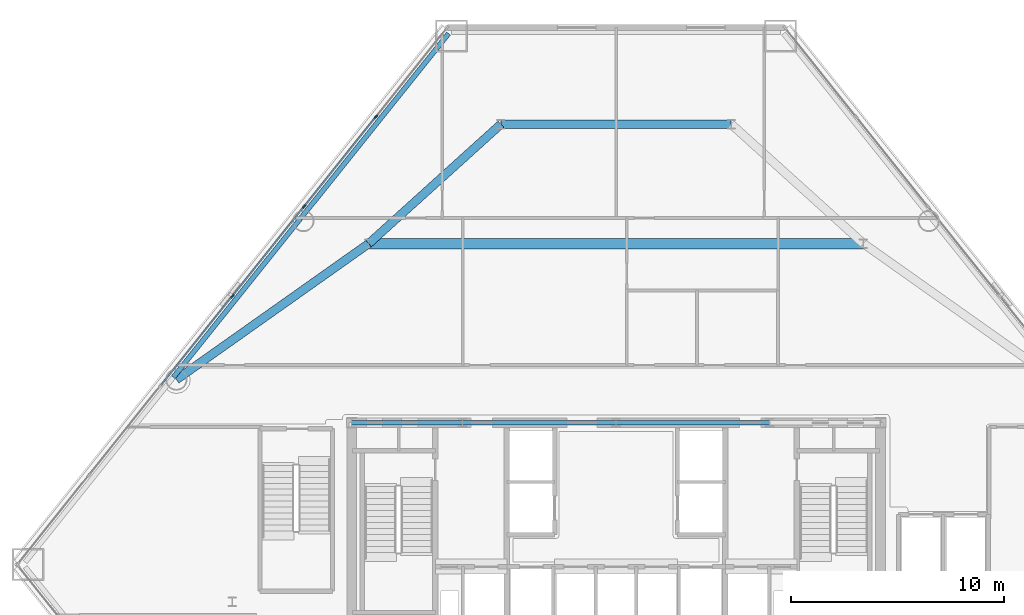
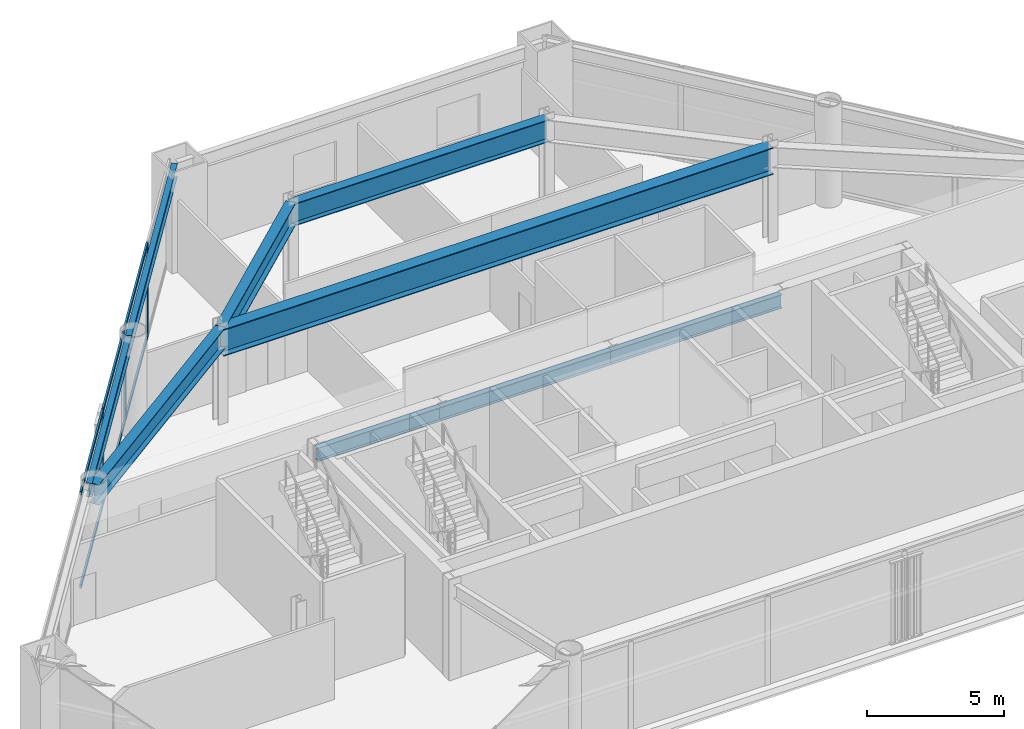
# One storey, part 4 of 13: 9 beams, 9 members, 1 element without a shape of its own.
"""IFC4 building model written with IfcOpenShell, lengths in metres."""

from ifc_helpers import new_model, si_unit, direction, frame, origin, origin_2d, place, context, subcontext, project, spatial, rectangle, i_section, extrude, material, layer, layer_set, material_profile, profile_set, type_object, element, aggregate, save


model = new_model("IFC4")

# Units and contexts
model_context = context("Model", 3, precision=1e-05, world=origin(), true_north=direction((0.0, 1.0)))
body_context = subcontext(model_context, "Body", "Model", "MODEL_VIEW")
ifc_project = project(units=[si_unit("LENGTHUNIT", "METRE"), si_unit("AREAUNIT", "SQUARE_METRE"), si_unit("VOLUMEUNIT", "CUBIC_METRE"), si_unit("PLANEANGLEUNIT", "RADIAN"), si_unit("MASSUNIT", "GRAM", prefix="KILO")], contexts=[model_context])

# Site, building, storey
site_placement = place(None, origin())
site = spatial("IfcSite", under=ifc_project, at=site_placement, CompositionType="ELEMENT")
building_placement = place(site_placement, origin())
building = spatial("IfcBuilding", under=site, at=building_placement, Name="Talgorran Terracotta Tower", CompositionType="ELEMENT")
storey_placement = place(building_placement, frame((0.0, 0.0, 9.89990234375)))
storey = spatial("IfcBuildingStorey", under=building, at=storey_placement, Name="L02", CompositionType="ELEMENT", Elevation=9.89990234375)

# Beams
ifc_material_1 = material(Name="Steel Grade 350 (350L0)", Category="steel")
ifc_material_profile_1 = material_profile(ifc_material_1, i_section(OverallWidth=0.39990234375, OverallDepth=1.0, WebThickness=0.01611328125, FlangeThickness=0.031005859375, at=origin_2d()), Name="1000WB296")
ifc_profile_set_1 = profile_set([ifc_material_profile_1], Name="Steel Grade 350 (350L0)")
beam_type_1 = type_object("IfcBeamType", Name="BM_1000WB296", PredefinedType="BEAM", material=ifc_profile_set_1)
beam_1_placement = place(storey_placement, frame((-11.60009765625, 4.199951171875, 3.72021484375), z_axis=(0.742107331558, 0.670281066754, 0.0), x_axis=(-0.670281066754, 0.742107331558, 0.0)))
element("IfcBeam", 1, at=beam_1_placement, inside=storey, type_object=beam_type_1, Name="L02 Podium Girder PG2", PredefinedType="BEAM", context=body_context, shape_type="SweptSolid", body=[
    extrude(i_section(OverallWidth=0.39990234375, OverallDepth=1.0, WebThickness=0.01611328125, FlangeThickness=0.031005859375, at=origin_2d()), origin(), (0.0, 0.0, 1.0), 8.354736328125),
])
beam_2_placement = place(storey_placement, frame((-5.39990234375, 9.800048828125, 3.72021484375), z_axis=(1.0, 0.0, 0.0), x_axis=(0.0, 1.0, 0.0)))
element("IfcBeam", 2, at=beam_2_placement, inside=storey, type_object=beam_type_1, Name="L02 Podium Girder PG4", PredefinedType="BEAM", context=body_context, shape_type="SweptSolid", body=[
    extrude(i_section(OverallWidth=0.39990234375, OverallDepth=1.0, WebThickness=0.01611328125, FlangeThickness=0.031005859375, at=origin_2d()), origin(), (0.0, 0.0, 1.0), 10.7998046875),
])
ifc_material_profile_2 = material_profile(ifc_material_1, i_section(OverallWidth=0.5, OverallDepth=1.199951171875, WebThickness=0.01611328125, FlangeThickness=0.035888671875, at=origin_2d()), Name="1200WB392")
ifc_profile_set_2 = profile_set([ifc_material_profile_2], Name="Steel Grade 350 (350L0)")
beam_type_2 = type_object("IfcBeamType", Name="BM_1200WB392", PredefinedType="BEAM", material=ifc_profile_set_2)
beam_3_placement = place(storey_placement, frame((-11.60009765625, 4.199951171875, 3.6201171875), z_axis=(1.0, 0.0, 0.0), x_axis=(0.0, 1.0, 0.0)))
element("IfcBeam", 3, at=beam_3_placement, inside=storey, type_object=beam_type_2, Name="L02 Podium Girder PG1", PredefinedType="BEAM", context=body_context, shape_type="SweptSolid", body=[
    extrude(i_section(OverallWidth=0.5, OverallDepth=1.199951171875, WebThickness=0.01611328125, FlangeThickness=0.035888671875, at=origin_2d()), origin(), (0.0, 0.0, 1.0), 23.2001953125),
])
ifc_material_profile_3 = material_profile(ifc_material_1, i_section(OverallWidth=0.39990234375, OverallDepth=0.907958984375, WebThickness=0.01611328125, FlangeThickness=0.02490234375, at=origin_2d()), Name="900WB257")
ifc_profile_set_3 = profile_set([ifc_material_profile_3], Name="Steel Grade 350 (350L0)")
beam_type_3 = type_object("IfcBeamType", Name="BM_900WB257", PredefinedType="BEAM", material=ifc_profile_set_3)
beam_4_placement = place(storey_placement, frame((-20.620361328125, -2.1787109375, 3.76611328125), z_axis=(0.816480686171, 0.577372747113, 0.0), x_axis=(-0.577372747113, 0.816480686171, 0.0)))
element("IfcBeam", 4, at=beam_4_placement, inside=storey, type_object=beam_type_3, Name="L02 Podium Girder PG7", PredefinedType="BEAM", context=body_context, shape_type="SweptSolid", body=[
    extrude(i_section(OverallWidth=0.39990234375, OverallDepth=0.907958984375, WebThickness=0.01611328125, FlangeThickness=0.02490234375, at=origin_2d()), origin(), (0.0, 0.0, 1.0), 11.0478515625),
])
ifc_material_2 = material(Name="Steel S355 (300PLUS)", Category="steel")
ifc_material_profile_4 = material_profile(ifc_material_2, i_section(OverallWidth=0.22900390625, OverallDepth=0.611572265625, WebThickness=0.011962890625, FlangeThickness=0.01953125, at=origin_2d()), Name="610UB125")
ifc_profile_set_4 = profile_set([ifc_material_profile_4], Name="Steel S355 (300PLUS)")
beam_type_4 = type_object("IfcBeamType", Name="BM_SP_610UB125", PredefinedType="SPANDREL", material=ifc_profile_set_4)
beam_5_placement = place(storey_placement, frame((-7.854736328125, 14.048583984375, 3.914306640625), z_axis=(-0.625115426811, -0.780532320383, 0.0), x_axis=(0.780532320383, -0.625115426811, 0.0)))
element("IfcBeam", 5, at=beam_5_placement, inside=storey, type_object=beam_type_4, Name="L02 Perimeter Spandrel Beam MC6-FC5", PredefinedType="SPANDREL", context=body_context, shape_type="SweptSolid", body=[
    extrude(i_section(OverallWidth=0.22900390625, OverallDepth=0.611572265625, WebThickness=0.011962890625, FlangeThickness=0.01953125, at=origin_2d()), origin(), (0.0, 0.0, 1.0), 11.1171875),
])
beam_6_placement = place(storey_placement, frame((-14.80419921875, 5.371337890625, 3.914306640625), z_axis=(-0.625101149619, -0.780543754536, 0.0), x_axis=(0.780543754536, -0.625101149619, 0.0)))
element("IfcBeam", 6, at=beam_6_placement, inside=storey, type_object=beam_type_4, Name="L02 Perimeter Spandrel Beam FC5-FC6", PredefinedType="SPANDREL", context=body_context, shape_type="SweptSolid", body=[
    extrude(i_section(OverallWidth=0.22900390625, OverallDepth=0.611572265625, WebThickness=0.011962890625, FlangeThickness=0.01953125, at=origin_2d()), origin(), (0.0, 0.0, 1.0), 9.52880859375),
])
beam_7_placement = place(storey_placement, frame((-12.39990234375, -4.199951171875, 3.914306640625), z_axis=(1.0, 0.0, 0.0), x_axis=(0.0, 1.0, 0.0)))
element("IfcBeam", 7, at=beam_7_placement, inside=storey, type_object=beam_type_4, Name="L02 Core Frame Beam CFN1", PredefinedType="SPANDREL", context=body_context, shape_type="SweptSolid", body=[
    extrude(i_section(OverallWidth=0.22900390625, OverallDepth=0.611572265625, WebThickness=0.011962890625, FlangeThickness=0.01953125, at=origin_2d()), origin(), (0.0, 0.0, 1.0), 5.199951171875),
])
for number, where, z_axis, x_axis, name in (
    (8, (-7.199951171875, -4.199951171875, 3.914306640625), (1.0, 0.0, 0.0), (0.0, 1.0, 0.0), "L02 Core Frame Beam CFN2"),
    (9, (0.0, -4.199951171875, 3.914306640625), (1.0, 0.0, 0.0), (0.0, 1.0, 0.0), "L02 Core Frame Beam CFN3"),
):
    element("IfcBeam", number, at=place(storey_placement, frame(where, z_axis=z_axis, x_axis=x_axis)), inside=storey, type_object=beam_type_4, Name=name, PredefinedType="SPANDREL", context=body_context, shape_type="SweptSolid", body=[
        extrude(i_section(OverallWidth=0.22900390625, OverallDepth=0.611572265625, WebThickness=0.011962890625, FlangeThickness=0.01953125, at=origin_2d()), origin(), (0.0, 0.0, 1.0), 7.199951171875),
    ])

# Curtain wall, members
ifc_material_3 = material(Name="Terracotta and Low-E Glazing", Category="masonry")
ifc_layer = layer(ifc_material_3, 0.219970703125, Name="CW_SYS1_PODIUM")
ifc_layer_set = layer_set([ifc_layer], Name="Terracotta and Low-E Glazing")
curtain_wall_type = type_object("IfcCurtainWallType", Name="CW_SYS1_PODIUM", PredefinedType="NOTDEFINED", material=ifc_layer_set)
curtain_wall_placement = place(storey_placement, origin())
curtain_wall = element("IfcCurtainWall", 10, at=curtain_wall_placement, inside=storey, type_object=curtain_wall_type, Name="CW-L02-F5", PredefinedType="NOTDEFINED")
ifc_material_4 = material(Name="Architectural Aluminium 6063-T6", Category="aluminium")
ifc_material_profile_5 = material_profile(ifc_material_4, rectangle(XDim=0.074951171875, YDim=0.219970703125, at=origin_2d()), Name="CWM75X220")
ifc_profile_set_5 = profile_set([ifc_material_profile_5], Name="Architectural Aluminium 6063-T6")
member_type_1 = type_object("IfcMemberType", Name="MUL_75X220", PredefinedType="MULLION", material=ifc_profile_set_5)
member_1_placement = place(storey_placement, frame((-11.26904296875, 10.137451171875, 0.0), z_axis=(0.0, 0.0, 1.0), x_axis=(0.780531657787, -0.625116254142, 0.0)))
member_1 = element("IfcMember", 11, at=member_1_placement, type_object=member_type_1, Name="CW-L02-5 mullion 2", PredefinedType="MULLION", context=body_context, shape_type="SweptSolid", body=[
    extrude(rectangle(XDim=0.074951171875, YDim=0.219970703125, at=origin_2d()), origin(), (0.0, 0.0, 1.0), 4.22021484375),
])
member_2_placement = place(storey_placement, frame((-14.631591796875, 5.938720703125, 0.0), z_axis=(0.0, 0.0, 1.0), x_axis=(0.780531657787, -0.625116254142, 0.0)))
member_2 = element("IfcMember", 12, at=member_2_placement, type_object=member_type_1, Name="CW-L02-5 mullion 3", PredefinedType="MULLION", context=body_context, shape_type="SweptSolid", body=[
    extrude(rectangle(XDim=0.074951171875, YDim=0.219970703125, at=origin_2d()), origin(), (0.0, 0.0, 1.0), 4.22021484375),
])
member_3_placement = place(storey_placement, frame((-17.994384765625, 1.739990234375, 0.0), z_axis=(0.0, 0.0, 1.0), x_axis=(0.780531657787, -0.625116254142, 0.0)))
member_3 = element("IfcMember", 13, at=member_3_placement, type_object=member_type_1, Name="CW-L02-5 mullion 4", PredefinedType="MULLION", context=body_context, shape_type="SweptSolid", body=[
    extrude(rectangle(XDim=0.074951171875, YDim=0.219970703125, at=origin_2d()), origin(), (0.0, 0.0, 1.0), 4.22021484375),
])
ifc_material_profile_6 = material_profile(ifc_material_4, rectangle(XDim=0.074951171875, YDim=0.179931640625, at=origin_2d()), Name="CWT75X180")
ifc_profile_set_6 = profile_set([ifc_material_profile_6], Name="Architectural Aluminium 6063-T6")
member_type_2 = type_object("IfcMemberType", Name="TRN_75X180", PredefinedType="USERDEFINED", material=ifc_profile_set_6)
member_4_placement = place(storey_placement, frame((-11.29248046875, 10.108154296875, 0.03759765625), z_axis=(-0.625104721996, -0.780540893572, 0.0), x_axis=(0.780540893572, -0.625104721996, 0.0)))
member_4 = element("IfcMember", 14, at=member_4_placement, type_object=member_type_2, Name="CW-L02-5 transom 2.1", ObjectType="TRANSOM", PredefinedType="USERDEFINED", context=body_context, shape_type="SweptSolid", body=[
    extrude(rectangle(XDim=0.074951171875, YDim=0.179931640625, at=origin_2d()), origin(), (0.0, 0.0, 1.0), 5.30419921875),
])
member_5_placement = place(storey_placement, frame((-11.29248046875, 10.108154296875, 4.1826171875), z_axis=(-0.625104721996, -0.780540893572, 0.0), x_axis=(0.780540893572, -0.625104721996, 0.0)))
member_5 = element("IfcMember", 15, at=member_5_placement, type_object=member_type_2, Name="CW-L02-5 transom 2.2", ObjectType="TRANSOM", PredefinedType="USERDEFINED", context=body_context, shape_type="SweptSolid", body=[
    extrude(rectangle(XDim=0.074951171875, YDim=0.179931640625, at=origin_2d()), origin(), (0.0, 0.0, 1.0), 5.30419921875),
])
member_6_placement = place(storey_placement, frame((-14.655029296875, 5.909423828125, 0.03759765625), z_axis=(-0.625132763003, -0.780518435798, 0.0), x_axis=(0.780518435798, -0.625132763003, 0.0)))
member_6 = element("IfcMember", 16, at=member_6_placement, type_object=member_type_2, Name="CW-L02-5 transom 3.1", ObjectType="TRANSOM", PredefinedType="USERDEFINED", context=body_context, shape_type="SweptSolid", body=[
    extrude(rectangle(XDim=0.074951171875, YDim=0.179931640625, at=origin_2d()), origin(), (0.0, 0.0, 1.0), 5.304443359375),
])
member_7_placement = place(storey_placement, frame((-14.655029296875, 5.909423828125, 4.1826171875), z_axis=(-0.625132763003, -0.780518435798, 0.0), x_axis=(0.780518435798, -0.625132763003, 0.0)))
member_7 = element("IfcMember", 17, at=member_7_placement, type_object=member_type_2, Name="CW-L02-5 transom 3.2", ObjectType="TRANSOM", PredefinedType="USERDEFINED", context=body_context, shape_type="SweptSolid", body=[
    extrude(rectangle(XDim=0.074951171875, YDim=0.179931640625, at=origin_2d()), origin(), (0.0, 0.0, 1.0), 5.304443359375),
])
member_8_placement = place(storey_placement, frame((-18.017822265625, 1.710693359375, 0.03759765625), z_axis=(-0.625104721996, -0.780540893572, 0.0), x_axis=(0.780540893572, -0.625104721996, 0.0)))
member_8 = element("IfcMember", 18, at=member_8_placement, type_object=member_type_2, Name="CW-L02-5 transom 4.1", ObjectType="TRANSOM", PredefinedType="USERDEFINED", context=body_context, shape_type="SweptSolid", body=[
    extrude(rectangle(XDim=0.074951171875, YDim=0.179931640625, at=origin_2d()), origin(), (0.0, 0.0, 1.0), 5.30419921875),
])
member_9_placement = place(storey_placement, frame((-18.017822265625, 1.710693359375, 4.1826171875), z_axis=(-0.625104721996, -0.780540893572, 0.0), x_axis=(0.780540893572, -0.625104721996, 0.0)))
member_9 = element("IfcMember", 19, at=member_9_placement, type_object=member_type_2, Name="CW-L02-5 transom 4.2", ObjectType="TRANSOM", PredefinedType="USERDEFINED", context=body_context, shape_type="SweptSolid", body=[
    extrude(rectangle(XDim=0.074951171875, YDim=0.179931640625, at=origin_2d()), origin(), (0.0, 0.0, 1.0), 5.30419921875),
])
aggregate(curtain_wall, [member_1, member_2, member_3, member_4, member_5, member_6, member_7, member_8, member_9])

save(model, "model.ifc")
